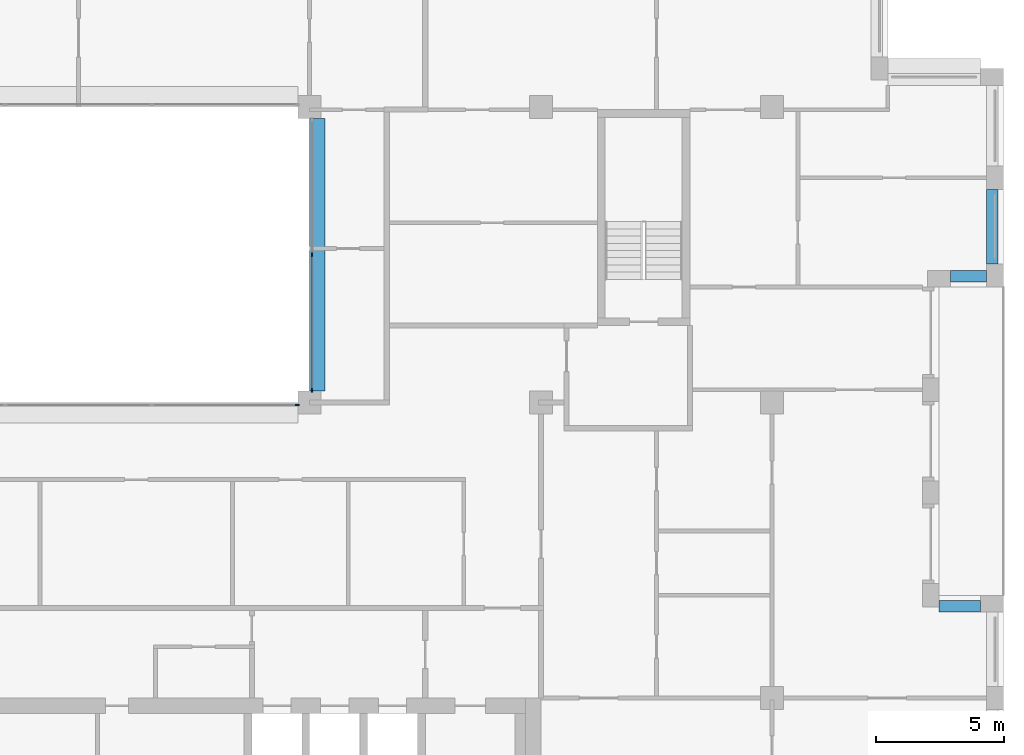
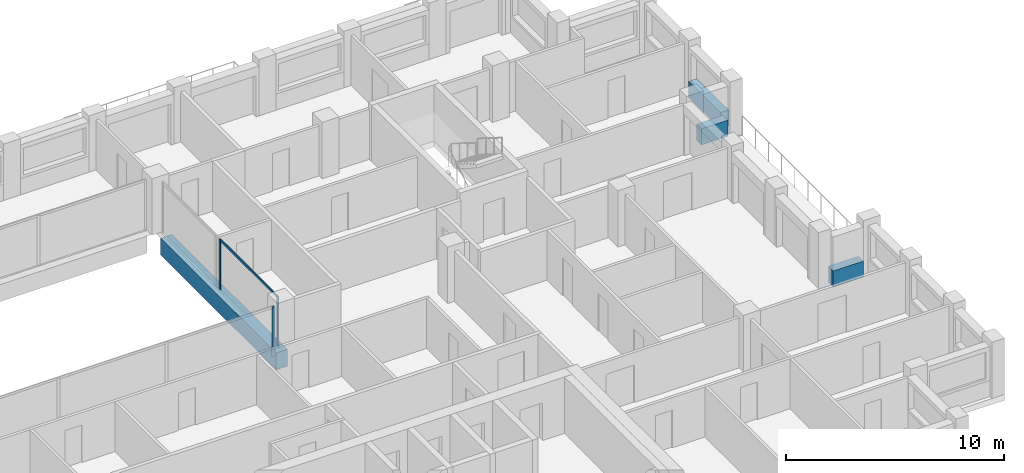
# One storey, part 4 of 15: 4 beams, 4 members, 2 elements without a shape of their own.
"""IFC4 building model written with IfcOpenShell, lengths in metres."""

import ifcopenshell
import ifcopenshell.guid

model = None  # the IFC model being written
_history = None  # IfcOwnerHistory: only IFC2X3 demands one
_inside = {}  # id of a spatial element -> (the spatial element, [elements in it])
_under = {}  # id of a project, library or spatial element -> (it, [spatial elements below it])
_declared = {}  # id of a project -> (the project, [libraries it declares])
_typed = {}  # id of a type object -> (the type object, [elements of that type])
_made_of = {}  # id of a material, layer set ... -> (it, [elements and type objects made of it])


def new_model(schema):
    """Start an empty IFC model of exactly this schema.

    Asked for "IFC4X3", IfcOpenShell would pick the latest addendum, in which some entities
    have other attributes; the version numbers below select the first issue.
    IFC2X3 requires an IfcOwnerHistory on every rooted entity: one is made here for all.
    """
    global model, _history
    if schema == "IFC4X3":
        model = ifcopenshell.file(schema_version=(4, 3, 0, 0))
    else:
        model = ifcopenshell.file(schema=schema)
    _inside.clear()
    _under.clear()
    _declared.clear()
    _typed.clear()
    _made_of.clear()
    _history = None
    if model.schema == "IFC2X3":
        org = make("IfcOrganization", Name="unknown")
        user = make(
            "IfcPersonAndOrganization",
            ThePerson=make("IfcPerson", FamilyName="unknown"),
            TheOrganization=org,
        )
        app = make(
            "IfcApplication",
            ApplicationDeveloper=org,
            Version="unknown",
            ApplicationFullName="unknown",
            ApplicationIdentifier="unknown",
        )
        _history = make(
            "IfcOwnerHistory",
            OwningUser=user,
            OwningApplication=app,
            ChangeAction="ADDED",
            CreationDate=0,
        )
    return model


def make(cls, **values):
    """One entity of the class cls with the attributes given. An attribute that is None is left unset."""
    return model.create_entity(
        cls, **{name: value for name, value in values.items() if value is not None}
    )


def rooted(cls, **values):
    """An entity with a GlobalId (a new one), such as an element, a storey or a relation."""
    return make(cls, GlobalId=ifcopenshell.guid.new(), OwnerHistory=_history, **values)


def si_unit(unit_type, name, prefix=None):
    """IfcSIUnit, for example si_unit("LENGTHUNIT", "METRE", prefix="MILLI")."""
    return make("IfcSIUnit", UnitType=unit_type, Prefix=prefix, Name=name)


def assignment(units):
    """IfcUnitAssignment: the units of a project."""
    return None if units is None else make("IfcUnitAssignment", Units=units)


def point(xyz):
    """IfcCartesianPoint."""
    return None if xyz is None else make("IfcCartesianPoint", Coordinates=xyz)


def direction(xyz):
    """IfcDirection."""
    return None if xyz is None else make("IfcDirection", DirectionRatios=xyz)


def frame(location, z_axis=None, x_axis=None):
    """IfcAxis2Placement3D, a coordinate frame: its origin and axes. An axis left out is left unset."""
    return make(
        "IfcAxis2Placement3D",
        Location=point(location),
        Axis=direction(z_axis),
        RefDirection=direction(x_axis),
    )


def frame_2d(location, x_axis=None):
    """IfcAxis2Placement2D, a coordinate frame in the plane: its origin and x axis."""
    return make(
        "IfcAxis2Placement2D", Location=point(location), RefDirection=direction(x_axis)
    )


def origin():
    """The frame at (0, 0, 0) with its axes left unset."""
    return frame((0.0, 0.0, 0.0))


def origin_2d():
    """The frame at (0, 0) in the plane with its x axis left unset."""
    return frame_2d((0.0, 0.0))


def place(relative_to, where):
    """IfcLocalPlacement: puts the frame where relative to a parent placement (None: the world)."""
    return make(
        "IfcLocalPlacement", PlacementRelTo=relative_to, RelativePlacement=where
    )


def context(
    kind, dimensions, precision=None, world=None, true_north=None, identifier=None
):
    """IfcGeometricRepresentationContext, for example the 3D "Model" context."""
    return make(
        "IfcGeometricRepresentationContext",
        ContextIdentifier=identifier,
        ContextType=kind,
        CoordinateSpaceDimension=dimensions,
        Precision=precision,
        WorldCoordinateSystem=world,
        TrueNorth=true_north,
    )


def subcontext(parent, identifier, kind, view, scale=None):
    """IfcGeometricRepresentationSubContext, for example "Body" below "Model"."""
    return make(
        "IfcGeometricRepresentationSubContext",
        ContextIdentifier=identifier,
        ContextType=kind,
        ParentContext=parent,
        TargetScale=scale,
        TargetView=view,
    )


def project(units=None, contexts=None):
    """IfcProject with its units and contexts."""
    return rooted(
        "IfcProject",
        Name="project",
        RepresentationContexts=contexts,
        UnitsInContext=assignment(units),
    )


def spatial(cls, under=None, at=None, **own):
    """A site, building, storey or space (cls), placed at a placement, below another one or the project."""
    s = rooted(cls, ObjectPlacement=at, **own)
    if under is not None:
        _under.setdefault(under.id(), (under, []))[1].append(s)
    return s


def profile(cls, at=None, kind="AREA", **sizes):
    """A parametric profile (cls). Its sizes go by their IFC names, for example OverallWidth=200.0."""
    return make(cls, ProfileType=kind, Position=at, **sizes)


def rectangle(**sizes):
    """IfcRectangleProfileDef."""
    return profile("IfcRectangleProfileDef", **sizes)


def extrude(swept, where, along, depth):
    """IfcExtrudedAreaSolid: the profile swept, set in the frame where, extruded along a direction by depth."""
    return make(
        "IfcExtrudedAreaSolid",
        SweptArea=swept,
        Position=where,
        ExtrudedDirection=direction(along),
        Depth=depth,
    )


def shape(context_of_items, identifier, shape_type, items):
    """IfcShapeRepresentation: the items that make up one representation, for example the "Body"."""
    return make(
        "IfcShapeRepresentation",
        ContextOfItems=context_of_items,
        RepresentationIdentifier=identifier,
        RepresentationType=shape_type,
        Items=items,
    )


def material(Name=None, Category=None):
    """IfcMaterial."""
    return make("IfcMaterial", Name=Name, Category=Category)


def layer(
    of_material, thickness, ventilated=None, Name=None, Category=None, Priority=None
):
    """IfcMaterialLayer: one layer of a wall or slab, of a material (None: an air gap)."""
    return make(
        "IfcMaterialLayer",
        Material=of_material,
        LayerThickness=thickness,
        IsVentilated=ventilated,
        Name=Name,
        Category=Category,
        Priority=Priority,
    )


def layer_set(layers, Name=None):
    """IfcMaterialLayerSet."""
    return make("IfcMaterialLayerSet", MaterialLayers=layers, LayerSetName=Name)


def material_profile(
    of_material, cross_section, Name=None, Category=None, Priority=None
):
    """IfcMaterialProfile: a cross section and its material."""
    return make(
        "IfcMaterialProfile",
        Name=Name,
        Material=of_material,
        Profile=cross_section,
        Priority=Priority,
        Category=Category,
    )


def profile_set(profiles, Name=None, composite=None):
    """IfcMaterialProfileSet."""
    return make(
        "IfcMaterialProfileSet",
        Name=Name,
        MaterialProfiles=profiles,
        CompositeProfile=composite,
    )


def made_of(thing, what):
    """Note that an element or type object is made of a material, layer set ...; save() writes the relation."""
    if what is not None:
        _made_of.setdefault(what.id(), (what, []))[1].append(thing)
    return thing


def type_object(cls, material=None, **own):
    """A type object (cls), such as IfcWallType, which elements share."""
    return made_of(rooted(cls, **own), material)


def element(
    cls,
    number,
    at=None,
    inside=None,
    cuts=None,
    type_object=None,
    material=None,
    context=None,
    identifier="Body",
    shape_type=None,
    held_by="IfcProductDefinitionShape",
    body=None,
    shapes=None,
    **own,
):
    """One element of the class cls, such as IfcWall. Its Tag is "e" and its number.

    at: its placement. inside: the storey or other place that contains it. cuts: it is an
    opening in that element (IfcRelVoidsElement). A single representation is given by context,
    identifier, shape_type and body (its items); several are given by shapes. held_by: the class
    of the entity that holds the representations. save() writes the other relations.
    """
    e = rooted(cls, Tag="e%d" % number, ObjectPlacement=at, **own)
    if body is not None:
        shapes = [shape(context, identifier, shape_type, body)]
    if shapes is not None:
        e.Representation = make(held_by, Representations=shapes)
    if inside is not None:
        _inside.setdefault(inside.id(), (inside, []))[1].append(e)
    if cuts is not None:
        rooted(
            "IfcRelVoidsElement", RelatingBuildingElement=cuts, RelatedOpeningElement=e
        )
    if type_object is not None:
        _typed.setdefault(type_object.id(), (type_object, []))[1].append(e)
    return made_of(e, material)


def aggregate(whole, parts):
    """IfcRelAggregates: a whole, such as a stair, and the parts it consists of."""
    return rooted("IfcRelAggregates", RelatingObject=whole, RelatedObjects=parts)


def save(model, path):
    """Write the relations noted so far, then the file.

    IfcRelAggregates (storeys below a building ...), IfcRelContainedInSpatialStructure (elements
    in a storey), IfcRelDefinesByType, IfcRelAssociatesMaterial and IfcRelDeclares: one each for
    every whole, place, type object, material and project.
    """
    for whole, parts in _under.values():
        aggregate(whole, parts)
    for where, things in _inside.values():
        rooted(
            "IfcRelContainedInSpatialStructure",
            RelatedElements=things,
            RelatingStructure=where,
        )
    for kind, things in _typed.values():
        rooted("IfcRelDefinesByType", RelatedObjects=things, RelatingType=kind)
    for what, things in _made_of.values():
        rooted("IfcRelAssociatesMaterial", RelatedObjects=things, RelatingMaterial=what)
    for by, libraries in _declared.values():
        rooted("IfcRelDeclares", RelatingContext=by, RelatedDefinitions=libraries)
    model.write(path)


model = new_model("IFC4")

# Units and contexts
model_context = context("Model", 3, precision=1e-05, world=origin(), true_north=direction((0.0, 1.0)))
body_context = subcontext(model_context, "Body", "Model", "MODEL_VIEW")
ifc_project = project(units=[si_unit("LENGTHUNIT", "METRE"), si_unit("AREAUNIT", "SQUARE_METRE"), si_unit("VOLUMEUNIT", "CUBIC_METRE"), si_unit("PLANEANGLEUNIT", "RADIAN"), si_unit("MASSUNIT", "GRAM", prefix="KILO")], contexts=[model_context])

# Site, building, storey
site_placement = place(None, origin())
site = spatial("IfcSite", under=ifc_project, at=site_placement, CompositionType="ELEMENT")
building_placement = place(site_placement, origin())
building = spatial("IfcBuilding", under=site, at=building_placement, Name="Brigalow Station Residences", CompositionType="ELEMENT")
storey_placement = place(building_placement, frame((0.0, 0.0, 232.64990234375)))
storey = spatial("IfcBuildingStorey", under=building, at=storey_placement, Name="L67", CompositionType="ELEMENT", Elevation=232.64990234375)

# Beam
ifc_material_1 = material(Name="Concrete C65", Category="concrete")
ifc_material_profile_1 = material_profile(ifc_material_1, rectangle(XDim=0.60009765625, YDim=0.949951171875, at=origin_2d()), Name="RC600x950")
ifc_profile_set_1 = profile_set([ifc_material_profile_1], Name="Concrete C65")
beam_type_1 = type_object("IfcBeamType", Name="ATRIUM EDGE GIRDER 600x950 C65", PredefinedType="BEAM", material=ifc_profile_set_1)
beam_1_placement = place(storey_placement, frame((45.300048828125, 24.449951171875, -0.794921875), z_axis=(0.0, 1.0, 0.0), x_axis=(-1.0, 0.0, 0.0)))
element("IfcBeam", 1, at=beam_1_placement, inside=storey, type_object=beam_type_1, Name="ATRIUM EDGE GIRDER 5 L67", PredefinedType="BEAM", context=body_context, shape_type="SweptSolid", body=[
    extrude(rectangle(XDim=0.60009765625, YDim=0.949951171875, at=origin_2d()), origin(), (0.0, 0.0, 1.0), 10.60009765625),
])

# Curtain wall, member
ifc_material_2 = material(Name="Aluminium", Category="aluminium")
ifc_layer = layer(ifc_material_2, 0.14990234375)
ifc_layer_set = layer_set([ifc_layer], Name="ATRIUM FIRE-RATED GLAZING CURTAIN WALL")
curtain_wall_type = type_object("IfcCurtainWallType", Name="ATRIUM FIRE-RATED GLAZING CURTAIN WALL", PredefinedType="NOTDEFINED", material=ifc_layer_set)
curtain_wall_1_placement = place(storey_placement, origin())
curtain_wall_1 = element("IfcCurtainWall", 2, at=curtain_wall_1_placement, inside=storey, type_object=curtain_wall_type, Name="L67/cw/atrium-S", PredefinedType="NOTDEFINED")
ifc_material_3 = material(Name="Aluminium", Category="aluminium")
ifc_material_profile_2 = material_profile(ifc_material_3, rectangle(XDim=0.06005859375, YDim=0.14990234375, at=origin_2d()), Name="ATRIUM FIRE-RATED GLAZING MULLION 60x150")
ifc_profile_set_2 = profile_set([ifc_material_profile_2], Name="Aluminium")
member_type_1 = type_object("IfcMemberType", Name="ATRIUM FIRE-RATED GLAZING MULLION 60x150", PredefinedType="MULLION", material=ifc_profile_set_2)
member_1_placement = place(storey_placement, frame((44.52001953125, 23.89990234375, 0.0), z_axis=(0.0, 0.0, 1.0), x_axis=(0.0, 1.0, 0.0)))
member_1 = element("IfcMember", 3, at=member_1_placement, type_object=member_type_1, Name="L67/cw/atrium-S/M03", PredefinedType="MULLION", context=body_context, shape_type="SweptSolid", body=[
    extrude(rectangle(XDim=0.06005859375, YDim=0.14990234375, at=origin_2d()), origin(), (0.0, 0.0, 1.0), 2.800048828125),
])
aggregate(curtain_wall_1, [member_1])

# Curtain wall, members
curtain_wall_2_placement = place(storey_placement, origin())
curtain_wall_2 = element("IfcCurtainWall", 4, at=curtain_wall_2_placement, inside=storey, type_object=curtain_wall_type, Name="L67/cw/atrium-E", PredefinedType="NOTDEFINED")
member_2_placement = place(storey_placement, frame((45.10009765625, 24.47998046875, 0.0), z_axis=(0.0, 0.0, 1.0), x_axis=(-1.0, 0.0, 0.0)))
member_2 = element("IfcMember", 5, at=member_2_placement, type_object=member_type_1, Name="L67/cw/atrium-E/M00", PredefinedType="MULLION", context=body_context, shape_type="SweptSolid", body=[
    extrude(rectangle(XDim=0.06005859375, YDim=0.14990234375, at=origin_2d()), origin(), (0.0, 0.0, 1.0), 2.800048828125),
])
member_3_placement = place(storey_placement, frame((45.10009765625, 29.75, 0.0), z_axis=(0.0, 0.0, 1.0), x_axis=(-1.0, 0.0, 0.0)))
member_3 = element("IfcMember", 6, at=member_3_placement, type_object=member_type_1, Name="L67/cw/atrium-E/M01", PredefinedType="MULLION", context=body_context, shape_type="SweptSolid", body=[
    extrude(rectangle(XDim=0.06005859375, YDim=0.14990234375, at=origin_2d()), origin(), (0.0, 0.0, 1.0), 2.800048828125),
])
ifc_material_4 = material(Name="Aluminium", Category="aluminium")
ifc_material_profile_3 = material_profile(ifc_material_4, rectangle(XDim=0.06005859375, YDim=0.1201171875, at=origin_2d()), Name="ATRIUM FIRE-RATED GLAZING TRANSOM 60x120")
ifc_profile_set_3 = profile_set([ifc_material_profile_3], Name="Aluminium")
member_type_2 = type_object("IfcMemberType", Name="ATRIUM FIRE-RATED GLAZING TRANSOM 60x120", PredefinedType="USERDEFINED", material=ifc_profile_set_3)
member_4_placement = place(storey_placement, frame((45.10009765625, 24.510009765625, 2.77001953125), z_axis=(0.0, 1.0, 0.0), x_axis=(-1.0, 0.0, 0.0)))
member_4 = element("IfcMember", 7, at=member_4_placement, type_object=member_type_2, Name="L67/cw/atrium-E/T00-00", ObjectType="TRANSOM", PredefinedType="USERDEFINED", context=body_context, shape_type="SweptSolid", body=[
    extrude(rectangle(XDim=0.06005859375, YDim=0.1201171875, at=origin_2d()), origin(), (0.0, 0.0, 1.0), 5.2099609375),
])
aggregate(curtain_wall_2, [member_2, member_3, member_4])

# Beams
ifc_material_5 = material(Name="Concrete C50", Category="concrete")
ifc_material_profile_4 = material_profile(ifc_material_5, rectangle(XDim=0.449951171875, YDim=0.89990234375, at=origin_2d()), Name="RC450x900")
ifc_profile_set_4 = profile_set([ifc_material_profile_4], Name="Concrete C50")
beam_type_2 = type_object("IfcBeamType", Name="SPANDREL BEAM 450x900 C50", PredefinedType="SPANDREL", material=ifc_profile_set_4)
beam_2_placement = place(storey_placement, frame((71.10009765625, 16.074951171875, 0.4501953125), z_axis=(-1.0, 0.0, 0.0), x_axis=(0.0, -1.0, 0.0)))
element("IfcBeam", 8, at=beam_2_placement, inside=storey, type_object=beam_type_2, Name="L67/spandrel/W-L67-11", PredefinedType="SPANDREL", context=body_context, shape_type="SweptSolid", body=[
    extrude(rectangle(XDim=0.449951171875, YDim=0.89990234375, at=origin_2d()), origin(), (0.0, 0.0, 1.0), 1.60009765625),
])
beam_3_placement = place(storey_placement, frame((69.949951171875, 28.925048828125, 0.4501953125), z_axis=(1.0, 0.0, 0.0), x_axis=(0.0, 1.0, 0.0)))
element("IfcBeam", 9, at=beam_3_placement, inside=storey, type_object=beam_type_2, Name="L67/spandrel/W-L67-15", PredefinedType="SPANDREL", context=body_context, shape_type="SweptSolid", body=[
    extrude(rectangle(XDim=0.449951171875, YDim=0.89990234375, at=origin_2d()), origin(), (0.0, 0.0, 1.0), 1.400146484375),
])
beam_4_placement = place(storey_placement, frame((71.574951171875, 29.39990234375, 0.4501953125), z_axis=(0.0, 1.0, 0.0), x_axis=(-1.0, 0.0, 0.0)))
element("IfcBeam", 10, at=beam_4_placement, inside=storey, type_object=beam_type_2, Name="L67/spandrel/W-L67-16", PredefinedType="SPANDREL", context=body_context, shape_type="SweptSolid", body=[
    extrude(rectangle(XDim=0.449951171875, YDim=0.89990234375, at=origin_2d()), origin(), (0.0, 0.0, 1.0), 2.900146484375),
])

save(model, "model.ifc")
